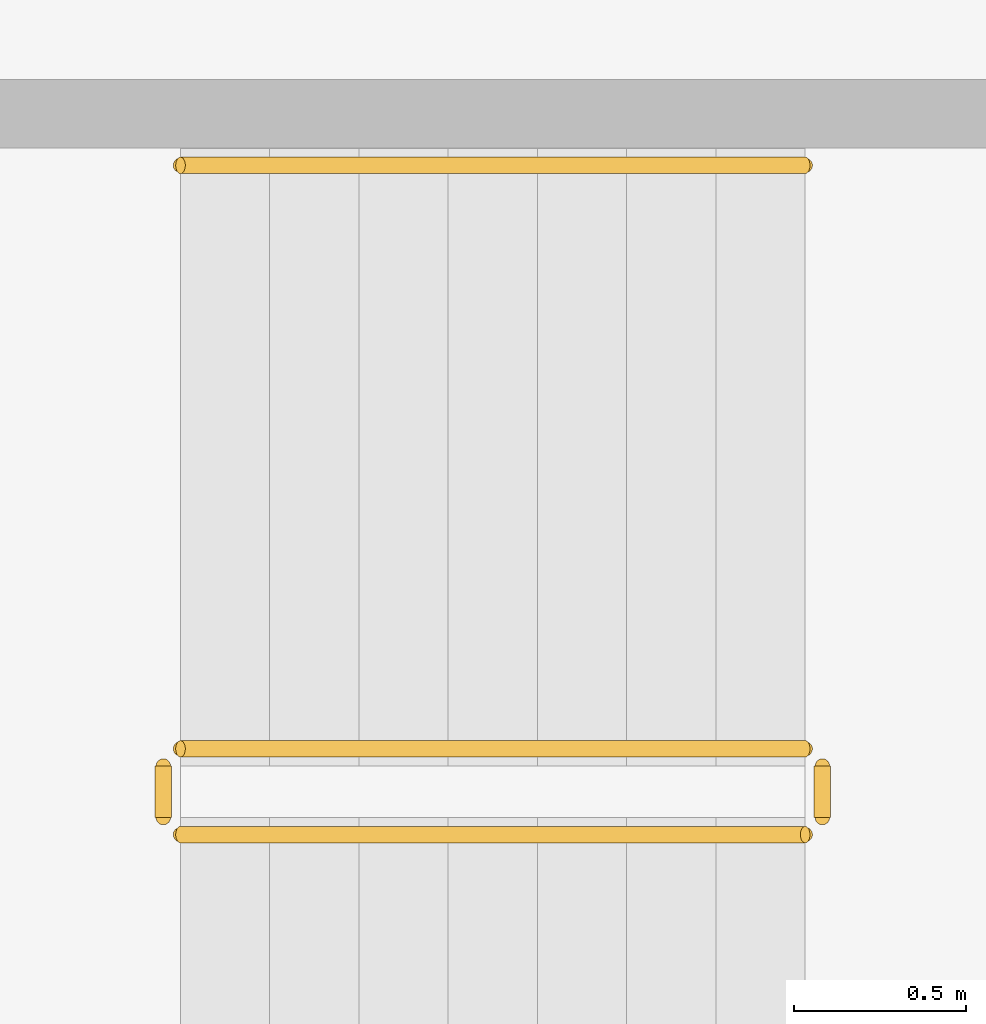
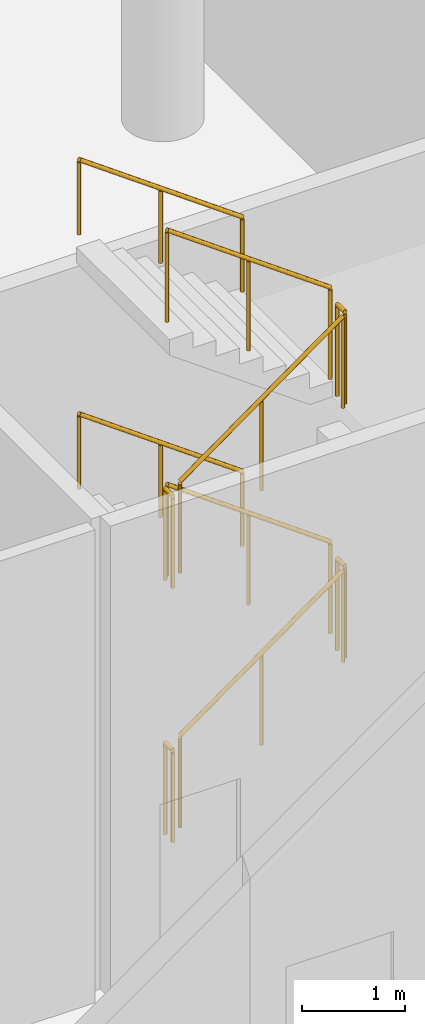
# One storey, part 68 of 75: 10 railings.
"""IFC4 building model written with IfcOpenShell, lengths in metres."""

import ifcopenshell
import ifcopenshell.guid

model = None  # the IFC model being written
_history = None  # IfcOwnerHistory: only IFC2X3 demands one
_inside = {}  # id of a spatial element -> (the spatial element, [elements in it])
_under = {}  # id of a project, library or spatial element -> (it, [spatial elements below it])
_declared = {}  # id of a project -> (the project, [libraries it declares])
_typed = {}  # id of a type object -> (the type object, [elements of that type])
_made_of = {}  # id of a material, layer set ... -> (it, [elements and type objects made of it])


def new_model(schema):
    """Start an empty IFC model of exactly this schema.

    Asked for "IFC4X3", IfcOpenShell would pick the latest addendum, in which some entities
    have other attributes; the version numbers below select the first issue.
    IFC2X3 requires an IfcOwnerHistory on every rooted entity: one is made here for all.
    """
    global model, _history
    if schema == "IFC4X3":
        model = ifcopenshell.file(schema_version=(4, 3, 0, 0))
    else:
        model = ifcopenshell.file(schema=schema)
    _inside.clear()
    _under.clear()
    _declared.clear()
    _typed.clear()
    _made_of.clear()
    _history = None
    if model.schema == "IFC2X3":
        org = make("IfcOrganization", Name="unknown")
        user = make(
            "IfcPersonAndOrganization",
            ThePerson=make("IfcPerson", FamilyName="unknown"),
            TheOrganization=org,
        )
        app = make(
            "IfcApplication",
            ApplicationDeveloper=org,
            Version="unknown",
            ApplicationFullName="unknown",
            ApplicationIdentifier="unknown",
        )
        _history = make(
            "IfcOwnerHistory",
            OwningUser=user,
            OwningApplication=app,
            ChangeAction="ADDED",
            CreationDate=0,
        )
    return model


def make(cls, **values):
    """One entity of the class cls with the attributes given. An attribute that is None is left unset."""
    return model.create_entity(
        cls, **{name: value for name, value in values.items() if value is not None}
    )


def rooted(cls, **values):
    """An entity with a GlobalId (a new one), such as an element, a storey or a relation."""
    return make(cls, GlobalId=ifcopenshell.guid.new(), OwnerHistory=_history, **values)


def si_unit(unit_type, name, prefix=None):
    """IfcSIUnit, for example si_unit("LENGTHUNIT", "METRE", prefix="MILLI")."""
    return make("IfcSIUnit", UnitType=unit_type, Prefix=prefix, Name=name)


def assignment(units):
    """IfcUnitAssignment: the units of a project."""
    return None if units is None else make("IfcUnitAssignment", Units=units)


def point(xyz):
    """IfcCartesianPoint."""
    return None if xyz is None else make("IfcCartesianPoint", Coordinates=xyz)


def direction(xyz):
    """IfcDirection."""
    return None if xyz is None else make("IfcDirection", DirectionRatios=xyz)


def frame(location, z_axis=None, x_axis=None):
    """IfcAxis2Placement3D, a coordinate frame: its origin and axes. An axis left out is left unset."""
    return make(
        "IfcAxis2Placement3D",
        Location=point(location),
        Axis=direction(z_axis),
        RefDirection=direction(x_axis),
    )


def frame_2d(location, x_axis=None):
    """IfcAxis2Placement2D, a coordinate frame in the plane: its origin and x axis."""
    return make(
        "IfcAxis2Placement2D", Location=point(location), RefDirection=direction(x_axis)
    )


def origin():
    """The frame at (0, 0, 0) with its axes left unset."""
    return frame((0.0, 0.0, 0.0))


def origin_2d():
    """The frame at (0, 0) in the plane with its x axis left unset."""
    return frame_2d((0.0, 0.0))


def place(relative_to, where):
    """IfcLocalPlacement: puts the frame where relative to a parent placement (None: the world)."""
    return make(
        "IfcLocalPlacement", PlacementRelTo=relative_to, RelativePlacement=where
    )


def context(
    kind, dimensions, precision=None, world=None, true_north=None, identifier=None
):
    """IfcGeometricRepresentationContext, for example the 3D "Model" context."""
    return make(
        "IfcGeometricRepresentationContext",
        ContextIdentifier=identifier,
        ContextType=kind,
        CoordinateSpaceDimension=dimensions,
        Precision=precision,
        WorldCoordinateSystem=world,
        TrueNorth=true_north,
    )


def subcontext(parent, identifier, kind, view, scale=None):
    """IfcGeometricRepresentationSubContext, for example "Body" below "Model"."""
    return make(
        "IfcGeometricRepresentationSubContext",
        ContextIdentifier=identifier,
        ContextType=kind,
        ParentContext=parent,
        TargetScale=scale,
        TargetView=view,
    )


def project(units=None, contexts=None):
    """IfcProject with its units and contexts."""
    return rooted(
        "IfcProject",
        Name="project",
        RepresentationContexts=contexts,
        UnitsInContext=assignment(units),
    )


def spatial(cls, under=None, at=None, **own):
    """A site, building, storey or space (cls), placed at a placement, below another one or the project."""
    s = rooted(cls, ObjectPlacement=at, **own)
    if under is not None:
        _under.setdefault(under.id(), (under, []))[1].append(s)
    return s


def profile(cls, at=None, kind="AREA", **sizes):
    """A parametric profile (cls). Its sizes go by their IFC names, for example OverallWidth=200.0."""
    return make(cls, ProfileType=kind, Position=at, **sizes)


def circle(**sizes):
    """IfcCircleProfileDef."""
    return profile("IfcCircleProfileDef", **sizes)


def extrude(swept, where, along, depth):
    """IfcExtrudedAreaSolid: the profile swept, set in the frame where, extruded along a direction by depth."""
    return make(
        "IfcExtrudedAreaSolid",
        SweptArea=swept,
        Position=where,
        ExtrudedDirection=direction(along),
        Depth=depth,
    )


def shape(context_of_items, identifier, shape_type, items):
    """IfcShapeRepresentation: the items that make up one representation, for example the "Body"."""
    return make(
        "IfcShapeRepresentation",
        ContextOfItems=context_of_items,
        RepresentationIdentifier=identifier,
        RepresentationType=shape_type,
        Items=items,
    )


def material(Name=None, Category=None):
    """IfcMaterial."""
    return make("IfcMaterial", Name=Name, Category=Category)


def made_of(thing, what):
    """Note that an element or type object is made of a material, layer set ...; save() writes the relation."""
    if what is not None:
        _made_of.setdefault(what.id(), (what, []))[1].append(thing)
    return thing


def type_object(cls, material=None, **own):
    """A type object (cls), such as IfcWallType, which elements share."""
    return made_of(rooted(cls, **own), material)


def element(
    cls,
    number,
    at=None,
    inside=None,
    cuts=None,
    type_object=None,
    material=None,
    context=None,
    identifier="Body",
    shape_type=None,
    held_by="IfcProductDefinitionShape",
    body=None,
    shapes=None,
    **own,
):
    """One element of the class cls, such as IfcWall. Its Tag is "e" and its number.

    at: its placement. inside: the storey or other place that contains it. cuts: it is an
    opening in that element (IfcRelVoidsElement). A single representation is given by context,
    identifier, shape_type and body (its items); several are given by shapes. held_by: the class
    of the entity that holds the representations. save() writes the other relations.
    """
    e = rooted(cls, Tag="e%d" % number, ObjectPlacement=at, **own)
    if body is not None:
        shapes = [shape(context, identifier, shape_type, body)]
    if shapes is not None:
        e.Representation = make(held_by, Representations=shapes)
    if inside is not None:
        _inside.setdefault(inside.id(), (inside, []))[1].append(e)
    if cuts is not None:
        rooted(
            "IfcRelVoidsElement", RelatingBuildingElement=cuts, RelatedOpeningElement=e
        )
    if type_object is not None:
        _typed.setdefault(type_object.id(), (type_object, []))[1].append(e)
    return made_of(e, material)


def aggregate(whole, parts):
    """IfcRelAggregates: a whole, such as a stair, and the parts it consists of."""
    return rooted("IfcRelAggregates", RelatingObject=whole, RelatedObjects=parts)


def save(model, path):
    """Write the relations noted so far, then the file.

    IfcRelAggregates (storeys below a building ...), IfcRelContainedInSpatialStructure (elements
    in a storey), IfcRelDefinesByType, IfcRelAssociatesMaterial and IfcRelDeclares: one each for
    every whole, place, type object, material and project.
    """
    for whole, parts in _under.values():
        aggregate(whole, parts)
    for where, things in _inside.values():
        rooted(
            "IfcRelContainedInSpatialStructure",
            RelatedElements=things,
            RelatingStructure=where,
        )
    for kind, things in _typed.values():
        rooted("IfcRelDefinesByType", RelatedObjects=things, RelatingType=kind)
    for what, things in _made_of.values():
        rooted("IfcRelAssociatesMaterial", RelatedObjects=things, RelatingMaterial=what)
    for by, libraries in _declared.values():
        rooted("IfcRelDeclares", RelatingContext=by, RelatedDefinitions=libraries)
    model.write(path)


model = new_model("IFC4")

# Units and contexts
model_context = context("Model", 3, precision=1e-05, world=origin(), true_north=direction((0.0, 1.0)))
body_context = subcontext(model_context, "Body", "Model", "MODEL_VIEW")
ifc_project = project(units=[si_unit("LENGTHUNIT", "METRE"), si_unit("AREAUNIT", "SQUARE_METRE"), si_unit("VOLUMEUNIT", "CUBIC_METRE"), si_unit("PLANEANGLEUNIT", "RADIAN"), si_unit("MASSUNIT", "GRAM", prefix="KILO")], contexts=[model_context])

# Site, building, storey
site_placement = place(None, origin())
site = spatial("IfcSite", under=ifc_project, at=site_placement, CompositionType="ELEMENT")
building_placement = place(site_placement, origin())
building = spatial("IfcBuilding", under=site, at=building_placement, Name="Ipe Terrace Towers", CompositionType="ELEMENT")
storey_placement = place(building_placement, origin())
storey = spatial("IfcBuildingStorey", under=building, at=storey_placement, Name="L00", CompositionType="ELEMENT", Elevation=0.0)

# Railings
ifc_material_1 = material(Name="Steel S355", Category="steel")
railing_type_1 = type_object("IfcRailingType", Name="Stair guard 1100", PredefinedType="GUARDRAIL", material=ifc_material_1)
railing_1_placement = place(storey_placement, frame((-3.75, -21.64990234375, 0.1875)))
element("IfcRailing", 1, at=railing_1_placement, inside=storey, type_object=railing_type_1, Name="L00 PS5 stair guard 1", PredefinedType="GUARDRAIL", context=body_context, shape_type="SweptSolid", body=[
    extrude(circle(Radius=0.02392578125, at=origin_2d()), frame((0.0, 0.0, 1.076171875), z_axis=(0.811100754333, 0.0, 0.584906459462), x_axis=(0.0, 1.0, 0.0)), (0.0, 0.0, 1.0), 2.243896484375),
    extrude(circle(Radius=0.02099609375, at=origin_2d()), origin(), (0.0, 0.0, 1.0), 1.052001953125),
    extrude(circle(Radius=0.02099609375, at=origin_2d()), frame((0.91015625, 0.0, 0.65625)), (0.0, 0.0, 1.0), 1.052001953125),
    extrude(circle(Radius=0.02099609375, at=origin_2d()), frame((1.820068359375, 0.0, 1.3125)), (0.0, 0.0, 1.0), 1.052001953125),
])
railing_2_placement = place(storey_placement, frame((-1.8798828125, -21.60009765625, 1.5)))
element("IfcRailing", 2, at=railing_2_placement, inside=storey, type_object=railing_type_1, Name="L00 PS5 stair guard 2", PredefinedType="GUARDRAIL", context=body_context, shape_type="SweptSolid", body=[
    extrude(circle(Radius=0.02392578125, at=origin_2d()), frame((0.0, 0.0, 1.076171875), z_axis=(0.0, 1.0, 0.0), x_axis=(-1.0, 0.0, 0.0)), (0.0, 0.0, 1.0), 0.150146484375),
    extrude(circle(Radius=0.02099609375, at=origin_2d()), origin(), (0.0, 0.0, 1.0), 1.052001953125),
    extrude(circle(Radius=0.02099609375, at=origin_2d()), frame((0.0, 0.150146484375, 0.0)), (0.0, 0.0, 1.0), 1.052001953125),
])
railing_3_placement = place(storey_placement, frame((-1.929931640625, -21.39990234375, 1.6875)))
element("IfcRailing", 3, at=railing_3_placement, inside=storey, type_object=railing_type_1, Name="L00 PS5 stair guard 3", PredefinedType="GUARDRAIL", context=body_context, shape_type="SweptSolid", body=[
    extrude(circle(Radius=0.02392578125, at=origin_2d()), frame((0.0, 0.0, 1.076171875), z_axis=(-0.811100754333, 0.0, 0.584906459462), x_axis=(0.0, -1.0, 0.0)), (0.0, 0.0, 1.0), 2.243896484375),
    extrude(circle(Radius=0.02099609375, at=origin_2d()), origin(), (0.0, 0.0, 1.0), 1.052001953125),
    extrude(circle(Radius=0.02099609375, at=origin_2d()), frame((-0.91015625, 0.0, 0.65625)), (0.0, 0.0, 1.0), 1.052001953125),
    extrude(circle(Radius=0.02099609375, at=origin_2d()), frame((-1.820068359375, 0.0, 1.3125)), (0.0, 0.0, 1.0), 1.052001953125),
])
railing_4_placement = place(storey_placement, frame((-3.800048828125, -21.60009765625, 3.0)))
element("IfcRailing", 4, at=railing_4_placement, inside=storey, type_object=railing_type_1, Name="L00 PS5 stair guard 4", PredefinedType="GUARDRAIL", context=body_context, shape_type="SweptSolid", body=[
    extrude(circle(Radius=0.02392578125, at=origin_2d()), frame((0.0, 0.0, 1.076171875), z_axis=(0.0, 1.0, 0.0), x_axis=(-1.0, 0.0, 0.0)), (0.0, 0.0, 1.0), 0.150146484375),
    extrude(circle(Radius=0.02099609375, at=origin_2d()), origin(), (0.0, 0.0, 1.0), 1.052001953125),
    extrude(circle(Radius=0.02099609375, at=origin_2d()), frame((0.0, 0.150146484375, 0.0)), (0.0, 0.0, 1.0), 1.052001953125),
])
railing_5_placement = place(storey_placement, frame((-3.75, -21.64990234375, 3.1875)))
element("IfcRailing", 5, at=railing_5_placement, inside=storey, type_object=railing_type_1, Name="L00 PS5 stair guard 5", PredefinedType="GUARDRAIL", context=body_context, shape_type="SweptSolid", body=[
    extrude(circle(Radius=0.02392578125, at=origin_2d()), frame((0.0, 0.0, 1.076171875), z_axis=(0.811100754333, 0.0, 0.584906459462), x_axis=(0.0, 1.0, 0.0)), (0.0, 0.0, 1.0), 2.243896484375),
    extrude(circle(Radius=0.02099609375, at=origin_2d()), origin(), (0.0, 0.0, 1.0), 1.052001953125),
    extrude(circle(Radius=0.02099609375, at=origin_2d()), frame((0.91015625, 0.0, 0.65625)), (0.0, 0.0, 1.0), 1.052001953125),
    extrude(circle(Radius=0.02099609375, at=origin_2d()), frame((1.820068359375, 0.0, 1.3125)), (0.0, 0.0, 1.0), 1.052001953125),
])
railing_6_placement = place(storey_placement, frame((-1.8798828125, -21.60009765625, 4.5)))
element("IfcRailing", 6, at=railing_6_placement, inside=storey, type_object=railing_type_1, Name="L00 PS5 stair guard 6", PredefinedType="GUARDRAIL", context=body_context, shape_type="SweptSolid", body=[
    extrude(circle(Radius=0.02392578125, at=origin_2d()), frame((0.0, 0.0, 1.076171875), z_axis=(0.0, 1.0, 0.0), x_axis=(-1.0, 0.0, 0.0)), (0.0, 0.0, 1.0), 0.150146484375),
    extrude(circle(Radius=0.02099609375, at=origin_2d()), origin(), (0.0, 0.0, 1.0), 1.052001953125),
    extrude(circle(Radius=0.02099609375, at=origin_2d()), frame((0.0, 0.150146484375, 0.0)), (0.0, 0.0, 1.0), 1.052001953125),
])
railing_7_placement = place(storey_placement, frame((-1.929931640625, -21.39990234375, 4.6875)))
element("IfcRailing", 7, at=railing_7_placement, inside=storey, type_object=railing_type_1, Name="L00 PS5 stair guard 7", PredefinedType="GUARDRAIL", context=body_context, shape_type="SweptSolid", body=[
    extrude(circle(Radius=0.02392578125, at=origin_2d()), frame((0.0, 0.0, 1.076171875), z_axis=(-0.811100754333, 0.0, 0.584906459462), x_axis=(0.0, -1.0, 0.0)), (0.0, 0.0, 1.0), 2.243896484375),
    extrude(circle(Radius=0.02099609375, at=origin_2d()), origin(), (0.0, 0.0, 1.0), 1.052001953125),
    extrude(circle(Radius=0.02099609375, at=origin_2d()), frame((-0.91015625, 0.0, 0.65625)), (0.0, 0.0, 1.0), 1.052001953125),
    extrude(circle(Radius=0.02099609375, at=origin_2d()), frame((-1.820068359375, 0.0, 1.3125)), (0.0, 0.0, 1.0), 1.052001953125),
])
railing_8_placement = place(storey_placement, frame((-3.800048828125, -21.60009765625, 0.0)))
element("IfcRailing", 8, at=railing_8_placement, inside=storey, type_object=railing_type_1, Name="L00 PS5 stair guard 8", PredefinedType="GUARDRAIL", context=body_context, shape_type="SweptSolid", body=[
    extrude(circle(Radius=0.02392578125, at=origin_2d()), frame((0.0, 0.0, 1.076171875), z_axis=(0.0, 1.0, 0.0), x_axis=(-1.0, 0.0, 0.0)), (0.0, 0.0, 1.0), 0.150146484375),
    extrude(circle(Radius=0.02099609375, at=origin_2d()), origin(), (0.0, 0.0, 1.0), 1.052001953125),
    extrude(circle(Radius=0.02099609375, at=origin_2d()), frame((0.0, 0.150146484375, 0.0)), (0.0, 0.0, 1.0), 1.052001953125),
])
ifc_material_2 = material(Name="Stainless steel grade 304", Category="steel")
railing_type_2 = type_object("IfcRailingType", Name="Stair handrail 900", PredefinedType="HANDRAIL", material=ifc_material_2)
for number, where, name in (
    (9, (-1.929931640625, -19.699951171875, 1.6875), "L00 PS5 stair handrail 2"),
    (10, (-1.929931640625, -19.699951171875, 4.6875), "L00 PS5 stair handrail 4"),
):
    element("IfcRailing", number, at=place(storey_placement, frame(where)), inside=storey, type_object=railing_type_2, Name=name, PredefinedType="HANDRAIL", context=body_context, shape_type="SweptSolid", body=[
        extrude(circle(Radius=0.02392578125, at=origin_2d()), frame((0.0, 0.0, 0.8759765625), z_axis=(-0.811100754333, 0.0, 0.584906459462), x_axis=(0.0, -1.0, 0.0)), (0.0, 0.0, 1.0), 2.243896484375),
        extrude(circle(Radius=0.02099609375, at=origin_2d()), origin(), (0.0, 0.0, 1.0), 0.851806640625),
        extrude(circle(Radius=0.02099609375, at=origin_2d()), frame((-0.91015625, 0.0, 0.65625)), (0.0, 0.0, 1.0), 0.851806640625),
        extrude(circle(Radius=0.02099609375, at=origin_2d()), frame((-1.820068359375, 0.0, 1.3125)), (0.0, 0.0, 1.0), 0.851806640625),
    ])

save(model, "model.ifc")
